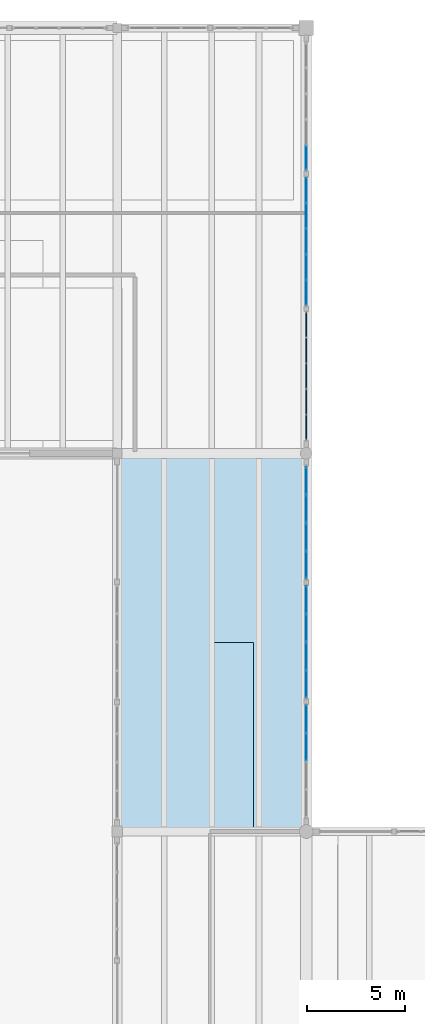
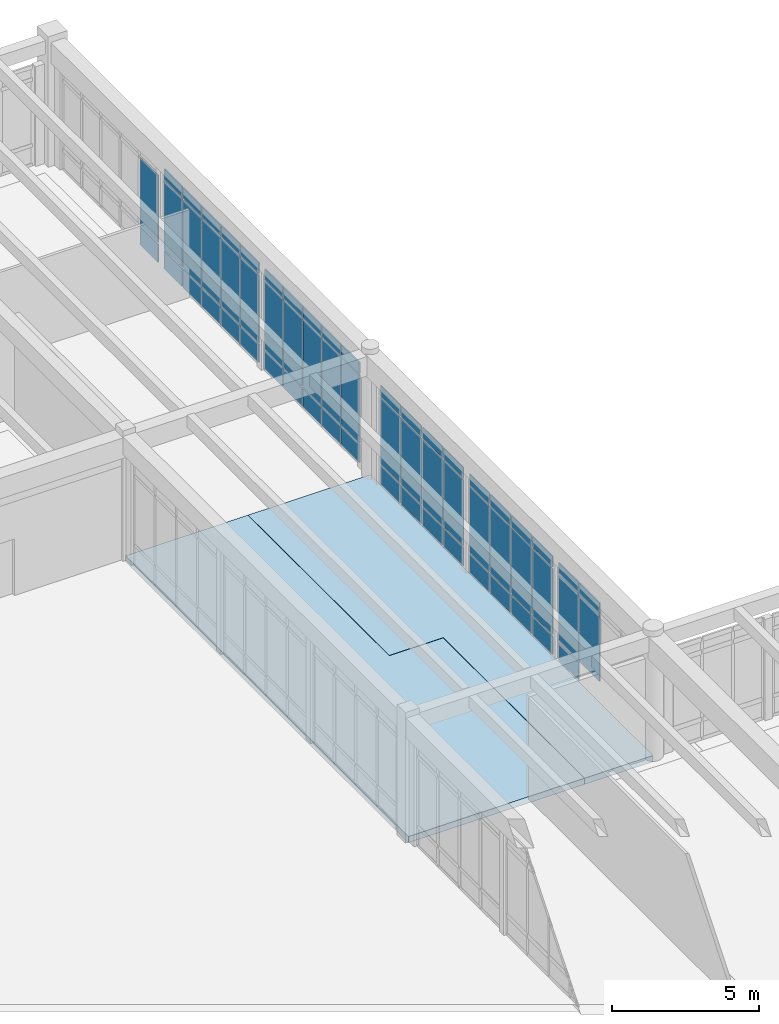
# One storey, part 101 of 138: 61 plates, 2 slabs, 6 elements without a shape of their own.
"""IFC4 building model written with IfcOpenShell, lengths in metres."""

from ifc_helpers import new_model, si_unit, direction, frame, origin, origin_2d, place, context, subcontext, project, spatial, polyline, rectangle, outline, extrude, material, layer, layer_set, type_object, element, aggregate, save


model = new_model("IFC4")

# Units and contexts
model_context = context("Model", 3, precision=1e-05, world=origin(), true_north=direction((0.0, 1.0)))
body_context = subcontext(model_context, "Body", "Model", "MODEL_VIEW")
ifc_project = project(units=[si_unit("LENGTHUNIT", "METRE"), si_unit("AREAUNIT", "SQUARE_METRE"), si_unit("VOLUMEUNIT", "CUBIC_METRE"), si_unit("PLANEANGLEUNIT", "RADIAN"), si_unit("MASSUNIT", "GRAM", prefix="KILO")], contexts=[model_context])

# Site, building, storey
site_placement = place(None, origin())
site = spatial("IfcSite", under=ifc_project, at=site_placement, CompositionType="ELEMENT")
building_placement = place(site_placement, origin())
building = spatial("IfcBuilding", under=site, at=building_placement, Name="Fikremerkos Civic Library", CompositionType="ELEMENT")
storey_placement = place(building_placement, origin())
storey = spatial("IfcBuildingStorey", under=building, at=storey_placement, Name="L00", CompositionType="ELEMENT", Elevation=0.0)

# Curtain wall, plates
ifc_material_1 = material(Name="Anodized aluminium Frame", Category="aluminium")
ifc_layer_1 = layer(ifc_material_1, 0.159912109375, Name="Anodized aluminium Frame")
ifc_layer_set_1 = layer_set([ifc_layer_1], Name="Anodized aluminium Frame")
curtain_wall_type_1 = type_object("IfcCurtainWallType", Name="Unitised curtain wall CW-05 3800x4100", PredefinedType="USERDEFINED", material=ifc_layer_set_1)
curtain_wall_1_placement = place(storey_placement, origin())
curtain_wall_1 = element("IfcCurtainWall", 1, at=curtain_wall_1_placement, inside=storey, type_object=curtain_wall_type_1, Name="Unitised curtain wall CW-05 L00 #59", ObjectType="UNITISED CURTAIN WALL", PredefinedType="USERDEFINED")
ifc_material_2 = material(Name="Solar control double glazing", Category="glass")
ifc_layer_2 = layer(ifc_material_2, 0.028076171875, Name="Solar control double glazing")
ifc_layer_set_2 = layer_set([ifc_layer_2], Name="Solar control double glazing")
plate_type_1 = type_object("IfcPlateType", Name="Curtain glazing panel CWP-01 28", PredefinedType="CURTAIN_PANEL", material=ifc_layer_set_2)
plate_1_placement = place(storey_placement, frame((134.39990234375, 94.616943359375, 0.06005859375), z_axis=(0.0, 0.0, 1.0), x_axis=(0.0, -1.0, 0.0)))
plate_1 = element("IfcPlate", 2, at=plate_1_placement, type_object=plate_type_1, Name="CW-05 panel 1.1", PredefinedType="CURTAIN_PANEL", context=body_context, shape_type="SweptSolid", body=[
    extrude(rectangle(XDim=1.34033203125, YDim=0.028076171875, at=origin_2d()), origin(), (0.0, 0.0, 1.0), 0.760009765625),
])
plate_2_placement = place(storey_placement, frame((134.39990234375, 94.616943359375, 0.8798828125), z_axis=(0.0, 0.0, 1.0), x_axis=(0.0, -1.0, 0.0)))
plate_2 = element("IfcPlate", 3, at=plate_2_placement, type_object=plate_type_1, Name="CW-05 panel 1.2", PredefinedType="CURTAIN_PANEL", context=body_context, shape_type="SweptSolid", body=[
    extrude(rectangle(XDim=1.34033203125, YDim=0.028076171875, at=origin_2d()), origin(), (0.0, 0.0, 1.0), 2.739990234375),
])
plate_3_placement = place(storey_placement, frame((134.39990234375, 94.616943359375, 3.679931640625), z_axis=(0.0, 0.0, 1.0), x_axis=(0.0, -1.0, 0.0)))
plate_3 = element("IfcPlate", 4, at=plate_3_placement, type_object=plate_type_1, Name="CW-05 panel 1.3", PredefinedType="CURTAIN_PANEL", context=body_context, shape_type="SweptSolid", body=[
    extrude(rectangle(XDim=1.34033203125, YDim=0.028076171875, at=origin_2d()), origin(), (0.0, 0.0, 1.0), 0.4599609375),
])
plate_4_placement = place(storey_placement, frame((134.39990234375, 93.1953125, 0.06005859375), z_axis=(0.0, 0.0, 1.0), x_axis=(0.0, -1.0, 0.0)))
plate_4 = element("IfcPlate", 5, at=plate_4_placement, type_object=plate_type_1, Name="CW-05 panel 2.1", PredefinedType="CURTAIN_PANEL", context=body_context, shape_type="SweptSolid", body=[
    extrude(rectangle(XDim=1.372802734375, YDim=0.028076171875, at=origin_2d()), origin(), (0.0, 0.0, 1.0), 0.760009765625),
])
plate_5_placement = place(storey_placement, frame((134.39990234375, 93.1953125, 0.8798828125), z_axis=(0.0, 0.0, 1.0), x_axis=(0.0, -1.0, 0.0)))
plate_5 = element("IfcPlate", 6, at=plate_5_placement, type_object=plate_type_1, Name="CW-05 panel 2.2", PredefinedType="CURTAIN_PANEL", context=body_context, shape_type="SweptSolid", body=[
    extrude(rectangle(XDim=1.372802734375, YDim=0.028076171875, at=origin_2d()), origin(), (0.0, 0.0, 1.0), 2.739990234375),
])
plate_6_placement = place(storey_placement, frame((134.39990234375, 93.1953125, 3.679931640625), z_axis=(0.0, 0.0, 1.0), x_axis=(0.0, -1.0, 0.0)))
plate_6 = element("IfcPlate", 7, at=plate_6_placement, type_object=plate_type_1, Name="CW-05 panel 2.3", PredefinedType="CURTAIN_PANEL", context=body_context, shape_type="SweptSolid", body=[
    extrude(rectangle(XDim=1.372802734375, YDim=0.028076171875, at=origin_2d()), origin(), (0.0, 0.0, 1.0), 0.4599609375),
])
plate_7_placement = place(storey_placement, frame((134.39990234375, 91.75732421875, 0.06005859375), z_axis=(0.0, 0.0, 1.0), x_axis=(0.0, -1.0, 0.0)))
plate_7 = element("IfcPlate", 8, at=plate_7_placement, type_object=plate_type_1, Name="CW-05 panel 3.1", PredefinedType="CURTAIN_PANEL", context=body_context, shape_type="SweptSolid", body=[
    extrude(rectangle(XDim=1.372802734375, YDim=0.028076171875, at=origin_2d()), origin(), (0.0, 0.0, 1.0), 0.760009765625),
])
plate_8_placement = place(storey_placement, frame((134.39990234375, 91.75732421875, 0.8798828125), z_axis=(0.0, 0.0, 1.0), x_axis=(0.0, -1.0, 0.0)))
plate_8 = element("IfcPlate", 9, at=plate_8_placement, type_object=plate_type_1, Name="CW-05 panel 3.2", PredefinedType="CURTAIN_PANEL", context=body_context, shape_type="SweptSolid", body=[
    extrude(rectangle(XDim=1.372802734375, YDim=0.028076171875, at=origin_2d()), origin(), (0.0, 0.0, 1.0), 2.739990234375),
])
plate_9_placement = place(storey_placement, frame((134.39990234375, 91.75732421875, 3.679931640625), z_axis=(0.0, 0.0, 1.0), x_axis=(0.0, -1.0, 0.0)))
plate_9 = element("IfcPlate", 10, at=plate_9_placement, type_object=plate_type_1, Name="CW-05 panel 3.3", PredefinedType="CURTAIN_PANEL", context=body_context, shape_type="SweptSolid", body=[
    extrude(rectangle(XDim=1.372802734375, YDim=0.028076171875, at=origin_2d()), origin(), (0.0, 0.0, 1.0), 0.4599609375),
])
plate_10_placement = place(storey_placement, frame((134.39990234375, 90.3359375, 0.06005859375), z_axis=(0.0, 0.0, 1.0), x_axis=(0.0, -1.0, 0.0)))
plate_10 = element("IfcPlate", 11, at=plate_10_placement, type_object=plate_type_1, Name="CW-05 panel 4.1", PredefinedType="CURTAIN_PANEL", context=body_context, shape_type="SweptSolid", body=[
    extrude(rectangle(XDim=1.34033203125, YDim=0.028076171875, at=origin_2d()), origin(), (0.0, 0.0, 1.0), 0.760009765625),
])
plate_11_placement = place(storey_placement, frame((134.39990234375, 90.3359375, 0.8798828125), z_axis=(0.0, 0.0, 1.0), x_axis=(0.0, -1.0, 0.0)))
plate_11 = element("IfcPlate", 12, at=plate_11_placement, type_object=plate_type_1, Name="CW-05 panel 4.2", PredefinedType="CURTAIN_PANEL", context=body_context, shape_type="SweptSolid", body=[
    extrude(rectangle(XDim=1.34033203125, YDim=0.028076171875, at=origin_2d()), origin(), (0.0, 0.0, 1.0), 2.739990234375),
])
plate_12_placement = place(storey_placement, frame((134.39990234375, 90.3359375, 3.679931640625), z_axis=(0.0, 0.0, 1.0), x_axis=(0.0, -1.0, 0.0)))
plate_12 = element("IfcPlate", 13, at=plate_12_placement, type_object=plate_type_1, Name="CW-05 panel 4.3", PredefinedType="CURTAIN_PANEL", context=body_context, shape_type="SweptSolid", body=[
    extrude(rectangle(XDim=1.34033203125, YDim=0.028076171875, at=origin_2d()), origin(), (0.0, 0.0, 1.0), 0.4599609375),
])
aggregate(curtain_wall_1, [plate_1, plate_2, plate_3, plate_4, plate_5, plate_6, plate_7, plate_8, plate_9, plate_10, plate_11, plate_12])

ifc_layer_3 = layer(ifc_material_1, 0.159912109375, Name="Anodized aluminium Frame")
ifc_layer_set_3 = layer_set([ifc_layer_3], Name="Anodized aluminium Frame")
curtain_wall_type_2 = type_object("IfcCurtainWallType", Name="Unitised curtain wall CW-02 3900x3600", PredefinedType="USERDEFINED", material=ifc_layer_set_3)
curtain_wall_2_placement = place(storey_placement, origin())
curtain_wall_2 = element("IfcCurtainWall", 14, at=curtain_wall_2_placement, inside=storey, type_object=curtain_wall_type_2, Name="Unitised curtain wall CW-02 L00 #56", ObjectType="UNITISED CURTAIN WALL", PredefinedType="USERDEFINED")
ifc_layer_4 = layer(ifc_material_2, 0.035888671875, Name="Solar control double glazing")
ifc_layer_set_4 = layer_set([ifc_layer_4], Name="Solar control double glazing")
plate_type_2 = type_object("IfcPlateType", Name="Curtain glazing panel CWP-02 36", PredefinedType="CURTAIN_PANEL", material=ifc_layer_set_4)
plate_13_placement = place(storey_placement, frame((134.39990234375, 111.00341796875, 0.06982421875), z_axis=(0.0, 0.0, 1.0), x_axis=(0.0, -1.0, 0.0)))
plate_13 = element("IfcPlate", 15, at=plate_13_placement, type_object=plate_type_2, Name="CW-02 panel 5.1", PredefinedType="CURTAIN_PANEL", context=body_context, shape_type="SweptSolid", body=[
    extrude(rectangle(XDim=1.218505859375, YDim=0.035888671875, at=origin_2d()), origin(), (0.0, 0.0, 1.0), 0.7451171875),
])
plate_14_placement = place(storey_placement, frame((134.39990234375, 111.00341796875, 0.884765625), z_axis=(0.0, 0.0, 1.0), x_axis=(0.0, -1.0, 0.0)))
plate_14 = element("IfcPlate", 16, at=plate_14_placement, type_object=plate_type_2, Name="CW-02 panel 5.2", PredefinedType="CURTAIN_PANEL", context=body_context, shape_type="SweptSolid", body=[
    extrude(rectangle(XDim=1.218505859375, YDim=0.035888671875, at=origin_2d()), origin(), (0.0, 0.0, 1.0), 2.800048828125),
])
aggregate(curtain_wall_2, [plate_13, plate_14])

ifc_layer_5 = layer(ifc_material_1, 0.159912109375, Name="Anodized aluminium Frame")
ifc_layer_set_5 = layer_set([ifc_layer_5], Name="Anodized aluminium Frame")
curtain_wall_type_3 = type_object("IfcCurtainWallType", Name="Unitised curtain wall CW-06 4200x4100", PredefinedType="USERDEFINED", material=ifc_layer_set_5)
curtain_wall_3_placement = place(storey_placement, origin())
curtain_wall_3 = element("IfcCurtainWall", 17, at=curtain_wall_3_placement, inside=storey, type_object=curtain_wall_type_3, Name="Unitised curtain wall CW-06 L00 #60", ObjectType="UNITISED CURTAIN WALL", PredefinedType="USERDEFINED")
plate_15_placement = place(storey_placement, frame((134.39990234375, 88.566650390625, 0.06005859375), z_axis=(0.0, 0.0, 1.0), x_axis=(0.0, -1.0, 0.0)))
plate_15 = element("IfcPlate", 18, at=plate_15_placement, type_object=plate_type_2, Name="CW-06 panel 1.1", PredefinedType="CURTAIN_PANEL", context=body_context, shape_type="SweptSolid", body=[
    extrude(rectangle(XDim=1.347900390625, YDim=0.035888671875, at=origin_2d()), origin(), (0.0, 0.0, 1.0), 0.760009765625),
])
plate_16_placement = place(storey_placement, frame((134.39990234375, 88.566650390625, 0.8798828125), z_axis=(0.0, 0.0, 1.0), x_axis=(0.0, -1.0, 0.0)))
plate_16 = element("IfcPlate", 19, at=plate_16_placement, type_object=plate_type_2, Name="CW-06 panel 1.2", PredefinedType="CURTAIN_PANEL", context=body_context, shape_type="SweptSolid", body=[
    extrude(rectangle(XDim=1.347900390625, YDim=0.035888671875, at=origin_2d()), origin(), (0.0, 0.0, 1.0), 2.739990234375),
])
plate_17_placement = place(storey_placement, frame((134.39990234375, 88.566650390625, 3.679931640625), z_axis=(0.0, 0.0, 1.0), x_axis=(0.0, -1.0, 0.0)))
plate_17 = element("IfcPlate", 20, at=plate_17_placement, type_object=plate_type_2, Name="CW-06 panel 1.3", PredefinedType="CURTAIN_PANEL", context=body_context, shape_type="SweptSolid", body=[
    extrude(rectangle(XDim=1.347900390625, YDim=0.035888671875, at=origin_2d()), origin(), (0.0, 0.0, 1.0), 0.4599609375),
])
plate_18_placement = place(storey_placement, frame((134.39990234375, 87.143798828125, 0.06005859375), z_axis=(0.0, 0.0, 1.0), x_axis=(0.0, -1.0, 0.0)))
plate_18 = element("IfcPlate", 21, at=plate_18_placement, type_object=plate_type_2, Name="CW-06 panel 2.1", PredefinedType="CURTAIN_PANEL", context=body_context, shape_type="SweptSolid", body=[
    extrude(rectangle(XDim=1.3779296875, YDim=0.035888671875, at=origin_2d()), origin(), (0.0, 0.0, 1.0), 0.760009765625),
])
plate_19_placement = place(storey_placement, frame((134.39990234375, 87.143798828125, 0.8798828125), z_axis=(0.0, 0.0, 1.0), x_axis=(0.0, -1.0, 0.0)))
plate_19 = element("IfcPlate", 22, at=plate_19_placement, type_object=plate_type_2, Name="CW-06 panel 2.2", PredefinedType="CURTAIN_PANEL", context=body_context, shape_type="SweptSolid", body=[
    extrude(rectangle(XDim=1.3779296875, YDim=0.035888671875, at=origin_2d()), origin(), (0.0, 0.0, 1.0), 2.739990234375),
])
plate_20_placement = place(storey_placement, frame((134.39990234375, 87.143798828125, 3.679931640625), z_axis=(0.0, 0.0, 1.0), x_axis=(0.0, -1.0, 0.0)))
plate_20 = element("IfcPlate", 23, at=plate_20_placement, type_object=plate_type_2, Name="CW-06 panel 2.3", PredefinedType="CURTAIN_PANEL", context=body_context, shape_type="SweptSolid", body=[
    extrude(rectangle(XDim=1.3779296875, YDim=0.035888671875, at=origin_2d()), origin(), (0.0, 0.0, 1.0), 0.4599609375),
])
plate_21_placement = place(storey_placement, frame((134.39990234375, 85.7060546875, 0.06005859375), z_axis=(0.0, 0.0, 1.0), x_axis=(0.0, -1.0, 0.0)))
plate_21 = element("IfcPlate", 24, at=plate_21_placement, type_object=plate_type_2, Name="CW-06 panel 3.1", PredefinedType="CURTAIN_PANEL", context=body_context, shape_type="SweptSolid", body=[
    extrude(rectangle(XDim=1.3779296875, YDim=0.035888671875, at=origin_2d()), origin(), (0.0, 0.0, 1.0), 0.760009765625),
])
plate_22_placement = place(storey_placement, frame((134.39990234375, 85.7060546875, 0.8798828125), z_axis=(0.0, 0.0, 1.0), x_axis=(0.0, -1.0, 0.0)))
plate_22 = element("IfcPlate", 25, at=plate_22_placement, type_object=plate_type_2, Name="CW-06 panel 3.2", PredefinedType="CURTAIN_PANEL", context=body_context, shape_type="SweptSolid", body=[
    extrude(rectangle(XDim=1.3779296875, YDim=0.035888671875, at=origin_2d()), origin(), (0.0, 0.0, 1.0), 2.739990234375),
])
plate_23_placement = place(storey_placement, frame((134.39990234375, 85.7060546875, 3.679931640625), z_axis=(0.0, 0.0, 1.0), x_axis=(0.0, -1.0, 0.0)))
plate_23 = element("IfcPlate", 26, at=plate_23_placement, type_object=plate_type_2, Name="CW-06 panel 3.3", PredefinedType="CURTAIN_PANEL", context=body_context, shape_type="SweptSolid", body=[
    extrude(rectangle(XDim=1.3779296875, YDim=0.035888671875, at=origin_2d()), origin(), (0.0, 0.0, 1.0), 0.4599609375),
])
plate_24_placement = place(storey_placement, frame((134.39990234375, 84.283203125, 0.06005859375), z_axis=(0.0, 0.0, 1.0), x_axis=(0.0, -1.0, 0.0)))
plate_24 = element("IfcPlate", 27, at=plate_24_placement, type_object=plate_type_2, Name="CW-06 panel 4.1", PredefinedType="CURTAIN_PANEL", context=body_context, shape_type="SweptSolid", body=[
    extrude(rectangle(XDim=1.347900390625, YDim=0.035888671875, at=origin_2d()), origin(), (0.0, 0.0, 1.0), 0.760009765625),
])
plate_25_placement = place(storey_placement, frame((134.39990234375, 84.283203125, 0.8798828125), z_axis=(0.0, 0.0, 1.0), x_axis=(0.0, -1.0, 0.0)))
plate_25 = element("IfcPlate", 28, at=plate_25_placement, type_object=plate_type_2, Name="CW-06 panel 4.2", PredefinedType="CURTAIN_PANEL", context=body_context, shape_type="SweptSolid", body=[
    extrude(rectangle(XDim=1.347900390625, YDim=0.035888671875, at=origin_2d()), origin(), (0.0, 0.0, 1.0), 2.739990234375),
])
plate_26_placement = place(storey_placement, frame((134.39990234375, 84.283203125, 3.679931640625), z_axis=(0.0, 0.0, 1.0), x_axis=(0.0, -1.0, 0.0)))
plate_26 = element("IfcPlate", 29, at=plate_26_placement, type_object=plate_type_2, Name="CW-06 panel 4.3", PredefinedType="CURTAIN_PANEL", context=body_context, shape_type="SweptSolid", body=[
    extrude(rectangle(XDim=1.347900390625, YDim=0.035888671875, at=origin_2d()), origin(), (0.0, 0.0, 1.0), 0.4599609375),
])
aggregate(curtain_wall_3, [plate_15, plate_16, plate_17, plate_18, plate_19, plate_20, plate_21, plate_22, plate_23, plate_24, plate_25, plate_26])

ifc_layer_6 = layer(ifc_material_1, 0.159912109375, Name="Anodized aluminium Frame")
ifc_layer_set_6 = layer_set([ifc_layer_6], Name="Anodized aluminium Frame")
curtain_wall_type_4 = type_object("IfcCurtainWallType", Name="Unitised curtain wall CW-03 4100x3600", PredefinedType="USERDEFINED", material=ifc_layer_set_6)
curtain_wall_4_placement = place(storey_placement, origin())
curtain_wall_4 = element("IfcCurtainWall", 30, at=curtain_wall_4_placement, inside=storey, type_object=curtain_wall_type_4, Name="Unitised curtain wall CW-03 L00 #57", ObjectType="UNITISED CURTAIN WALL", PredefinedType="USERDEFINED")
ifc_material_3 = material(Name="Insulated aluminium spandrel", Category="aluminium")
ifc_layer_7 = layer(ifc_material_3, 0.044921875, Name="Insulated aluminium spandrel")
ifc_layer_set_7 = layer_set([ifc_layer_7], Name="Insulated aluminium spandrel")
plate_type_3 = type_object("IfcPlateType", Name="Curtain spandrel panel CSP-01 45", PredefinedType="CURTAIN_PANEL", material=ifc_layer_set_7)
plate_27_placement = place(storey_placement, frame((134.39990234375, 109.36474609375, 0.06494140625), z_axis=(0.0, 0.0, 1.0), x_axis=(0.0, -1.0, 0.0)))
plate_27 = element("IfcPlate", 31, at=plate_27_placement, type_object=plate_type_3, Name="CW-03 panel 1.1", PredefinedType="CURTAIN_PANEL", context=body_context, shape_type="SweptSolid", body=[
    extrude(rectangle(XDim=1.218505859375, YDim=0.044921875, at=origin_2d()), origin(), (0.0, 0.0, 1.0), 0.75244140625),
])
plate_28_placement = place(storey_placement, frame((134.39990234375, 109.36474609375, 0.88232421875), z_axis=(0.0, 0.0, 1.0), x_axis=(0.0, -1.0, 0.0)))
plate_28 = element("IfcPlate", 32, at=plate_28_placement, type_object=plate_type_3, Name="CW-03 panel 1.2", PredefinedType="CURTAIN_PANEL", context=body_context, shape_type="SweptSolid", body=[
    extrude(rectangle(XDim=1.218505859375, YDim=0.044921875, at=origin_2d()), origin(), (0.0, 0.0, 1.0), 2.804931640625),
])
plate_29_placement = place(storey_placement, frame((134.39990234375, 109.36474609375, 3.75244140625), z_axis=(0.0, 0.0, 1.0), x_axis=(0.0, -1.0, 0.0)))
plate_29 = element("IfcPlate", 33, at=plate_29_placement, type_object=plate_type_3, Name="CW-03 panel 1.3", PredefinedType="CURTAIN_PANEL", context=body_context, shape_type="SweptSolid", body=[
    extrude(rectangle(XDim=1.218505859375, YDim=0.044921875, at=origin_2d()), origin(), (0.0, 0.0, 1.0), 0.452392578125),
])
plate_30_placement = place(storey_placement, frame((134.39990234375, 108.071044921875, 0.06494140625), z_axis=(0.0, 0.0, 1.0), x_axis=(0.0, -1.0, 0.0)))
plate_30 = element("IfcPlate", 34, at=plate_30_placement, type_object=plate_type_3, Name="CW-03 panel 2.1", PredefinedType="CURTAIN_PANEL", context=body_context, shape_type="SweptSolid", body=[
    extrude(rectangle(XDim=1.24853515625, YDim=0.044921875, at=origin_2d()), origin(), (0.0, 0.0, 1.0), 0.75244140625),
])
plate_31_placement = place(storey_placement, frame((134.39990234375, 108.071044921875, 0.88232421875), z_axis=(0.0, 0.0, 1.0), x_axis=(0.0, -1.0, 0.0)))
plate_31 = element("IfcPlate", 35, at=plate_31_placement, type_object=plate_type_3, Name="CW-03 panel 2.2", PredefinedType="CURTAIN_PANEL", context=body_context, shape_type="SweptSolid", body=[
    extrude(rectangle(XDim=1.24853515625, YDim=0.044921875, at=origin_2d()), origin(), (0.0, 0.0, 1.0), 2.804931640625),
])
plate_32_placement = place(storey_placement, frame((134.39990234375, 108.071044921875, 3.75244140625), z_axis=(0.0, 0.0, 1.0), x_axis=(0.0, -1.0, 0.0)))
plate_32 = element("IfcPlate", 36, at=plate_32_placement, type_object=plate_type_3, Name="CW-03 panel 2.3", PredefinedType="CURTAIN_PANEL", context=body_context, shape_type="SweptSolid", body=[
    extrude(rectangle(XDim=1.24853515625, YDim=0.044921875, at=origin_2d()), origin(), (0.0, 0.0, 1.0), 0.452392578125),
])
plate_33_placement = place(storey_placement, frame((134.39990234375, 106.762451171875, 0.06494140625), z_axis=(0.0, 0.0, 1.0), x_axis=(0.0, -1.0, 0.0)))
plate_33 = element("IfcPlate", 37, at=plate_33_placement, type_object=plate_type_3, Name="CW-03 panel 3.1", PredefinedType="CURTAIN_PANEL", context=body_context, shape_type="SweptSolid", body=[
    extrude(rectangle(XDim=1.24853515625, YDim=0.044921875, at=origin_2d()), origin(), (0.0, 0.0, 1.0), 0.75244140625),
])
plate_34_placement = place(storey_placement, frame((134.39990234375, 106.762451171875, 0.88232421875), z_axis=(0.0, 0.0, 1.0), x_axis=(0.0, -1.0, 0.0)))
plate_34 = element("IfcPlate", 38, at=plate_34_placement, type_object=plate_type_3, Name="CW-03 panel 3.2", PredefinedType="CURTAIN_PANEL", context=body_context, shape_type="SweptSolid", body=[
    extrude(rectangle(XDim=1.24853515625, YDim=0.044921875, at=origin_2d()), origin(), (0.0, 0.0, 1.0), 2.804931640625),
])
plate_35_placement = place(storey_placement, frame((134.39990234375, 106.762451171875, 3.75244140625), z_axis=(0.0, 0.0, 1.0), x_axis=(0.0, -1.0, 0.0)))
plate_35 = element("IfcPlate", 39, at=plate_35_placement, type_object=plate_type_3, Name="CW-03 panel 3.3", PredefinedType="CURTAIN_PANEL", context=body_context, shape_type="SweptSolid", body=[
    extrude(rectangle(XDim=1.24853515625, YDim=0.044921875, at=origin_2d()), origin(), (0.0, 0.0, 1.0), 0.452392578125),
])
plate_36_placement = place(storey_placement, frame((134.39990234375, 105.453857421875, 0.06494140625), z_axis=(0.0, 0.0, 1.0), x_axis=(0.0, -1.0, 0.0)))
plate_36 = element("IfcPlate", 40, at=plate_36_placement, type_object=plate_type_3, Name="CW-03 panel 4.1", PredefinedType="CURTAIN_PANEL", context=body_context, shape_type="SweptSolid", body=[
    extrude(rectangle(XDim=1.24853515625, YDim=0.044921875, at=origin_2d()), origin(), (0.0, 0.0, 1.0), 0.75244140625),
])
plate_37_placement = place(storey_placement, frame((134.39990234375, 105.453857421875, 0.88232421875), z_axis=(0.0, 0.0, 1.0), x_axis=(0.0, -1.0, 0.0)))
plate_37 = element("IfcPlate", 41, at=plate_37_placement, type_object=plate_type_3, Name="CW-03 panel 4.2", PredefinedType="CURTAIN_PANEL", context=body_context, shape_type="SweptSolid", body=[
    extrude(rectangle(XDim=1.24853515625, YDim=0.044921875, at=origin_2d()), origin(), (0.0, 0.0, 1.0), 2.804931640625),
])
plate_38_placement = place(storey_placement, frame((134.39990234375, 105.453857421875, 3.75244140625), z_axis=(0.0, 0.0, 1.0), x_axis=(0.0, -1.0, 0.0)))
plate_38 = element("IfcPlate", 42, at=plate_38_placement, type_object=plate_type_3, Name="CW-03 panel 4.3", PredefinedType="CURTAIN_PANEL", context=body_context, shape_type="SweptSolid", body=[
    extrude(rectangle(XDim=1.24853515625, YDim=0.044921875, at=origin_2d()), origin(), (0.0, 0.0, 1.0), 0.452392578125),
])
plate_39_placement = place(storey_placement, frame((134.39990234375, 104.160400390625, 0.06494140625), z_axis=(0.0, 0.0, 1.0), x_axis=(0.0, -1.0, 0.0)))
plate_39 = element("IfcPlate", 43, at=plate_39_placement, type_object=plate_type_3, Name="CW-03 panel 5.1", PredefinedType="CURTAIN_PANEL", context=body_context, shape_type="SweptSolid", body=[
    extrude(rectangle(XDim=1.218505859375, YDim=0.044921875, at=origin_2d()), origin(), (0.0, 0.0, 1.0), 0.75244140625),
])
plate_40_placement = place(storey_placement, frame((134.39990234375, 104.160400390625, 0.88232421875), z_axis=(0.0, 0.0, 1.0), x_axis=(0.0, -1.0, 0.0)))
plate_40 = element("IfcPlate", 44, at=plate_40_placement, type_object=plate_type_3, Name="CW-03 panel 5.2", PredefinedType="CURTAIN_PANEL", context=body_context, shape_type="SweptSolid", body=[
    extrude(rectangle(XDim=1.218505859375, YDim=0.044921875, at=origin_2d()), origin(), (0.0, 0.0, 1.0), 2.804931640625),
])
plate_41_placement = place(storey_placement, frame((134.39990234375, 104.160400390625, 3.75244140625), z_axis=(0.0, 0.0, 1.0), x_axis=(0.0, -1.0, 0.0)))
plate_41 = element("IfcPlate", 45, at=plate_41_placement, type_object=plate_type_3, Name="CW-03 panel 5.3", PredefinedType="CURTAIN_PANEL", context=body_context, shape_type="SweptSolid", body=[
    extrude(rectangle(XDim=1.218505859375, YDim=0.044921875, at=origin_2d()), origin(), (0.0, 0.0, 1.0), 0.452392578125),
])
aggregate(curtain_wall_4, [plate_27, plate_28, plate_29, plate_30, plate_31, plate_32, plate_33, plate_34, plate_35, plate_36, plate_37, plate_38, plate_39, plate_40, plate_41])

ifc_layer_8 = layer(ifc_material_1, 0.159912109375, Name="Anodized aluminium Frame")
ifc_layer_set_8 = layer_set([ifc_layer_8], Name="Anodized aluminium Frame")
curtain_wall_type_5 = type_object("IfcCurtainWallType", Name="Unitised curtain wall CW-07 3500x4100", PredefinedType="USERDEFINED", material=ifc_layer_set_8)
curtain_wall_5_placement = place(storey_placement, origin())
curtain_wall_5 = element("IfcCurtainWall", 46, at=curtain_wall_5_placement, inside=storey, type_object=curtain_wall_type_5, Name="Unitised curtain wall CW-07 L00 #61", ObjectType="UNITISED CURTAIN WALL", PredefinedType="USERDEFINED")
plate_42_placement = place(storey_placement, frame((134.39990234375, 82.515380859375, 0.06982421875), z_axis=(0.0, 0.0, 1.0), x_axis=(0.0, -1.0, 0.0)))
plate_42 = element("IfcPlate", 47, at=plate_42_placement, type_object=plate_type_3, Name="CW-07 panel 1.1", PredefinedType="CURTAIN_PANEL", context=body_context, shape_type="SweptSolid", body=[
    extrude(rectangle(XDim=1.347900390625, YDim=0.044921875, at=origin_2d()), origin(), (0.0, 0.0, 1.0), 0.7451171875),
])
plate_43_placement = place(storey_placement, frame((134.39990234375, 82.515380859375, 0.885009765625), z_axis=(0.0, 0.0, 1.0), x_axis=(0.0, -1.0, 0.0)))
plate_43 = element("IfcPlate", 48, at=plate_43_placement, type_object=plate_type_3, Name="CW-07 panel 1.2", PredefinedType="CURTAIN_PANEL", context=body_context, shape_type="SweptSolid", body=[
    extrude(rectangle(XDim=1.347900390625, YDim=0.044921875, at=origin_2d()), origin(), (0.0, 0.0, 1.0), 2.72998046875),
])
plate_44_placement = place(storey_placement, frame((134.39990234375, 82.515380859375, 3.68505859375), z_axis=(0.0, 0.0, 1.0), x_axis=(0.0, -1.0, 0.0)))
plate_44 = element("IfcPlate", 49, at=plate_44_placement, type_object=plate_type_3, Name="CW-07 panel 1.3", PredefinedType="CURTAIN_PANEL", context=body_context, shape_type="SweptSolid", body=[
    extrude(rectangle(XDim=1.347900390625, YDim=0.044921875, at=origin_2d()), origin(), (0.0, 0.0, 1.0), 0.445068359375),
])
plate_45_placement = place(storey_placement, frame((134.39990234375, 81.092529296875, 0.885009765625), z_axis=(0.0, 0.0, 1.0), x_axis=(0.0, -1.0, 0.0)))
plate_45 = element("IfcPlate", 50, at=plate_45_placement, type_object=plate_type_3, Name="CW-07 panel 2.2", PredefinedType="CURTAIN_PANEL", context=body_context, shape_type="SweptSolid", body=[
    extrude(rectangle(XDim=1.3779296875, YDim=0.044921875, at=origin_2d()), origin(), (0.0, 0.0, 1.0), 2.72998046875),
])
plate_46_placement = place(storey_placement, frame((134.39990234375, 81.092529296875, 3.68505859375), z_axis=(0.0, 0.0, 1.0), x_axis=(0.0, -1.0, 0.0)))
plate_46 = element("IfcPlate", 51, at=plate_46_placement, type_object=plate_type_3, Name="CW-07 panel 2.3", PredefinedType="CURTAIN_PANEL", context=body_context, shape_type="SweptSolid", body=[
    extrude(rectangle(XDim=1.3779296875, YDim=0.044921875, at=origin_2d()), origin(), (0.0, 0.0, 1.0), 0.445068359375),
])
aggregate(curtain_wall_5, [plate_42, plate_43, plate_44, plate_45, plate_46])

ifc_layer_9 = layer(ifc_material_1, 0.159912109375, Name="Anodized aluminium Frame")
ifc_layer_set_9 = layer_set([ifc_layer_9], Name="Anodized aluminium Frame")
curtain_wall_type_6 = type_object("IfcCurtainWallType", Name="Unitised curtain wall CW-04 3400x3600", PredefinedType="USERDEFINED", material=ifc_layer_set_9)
curtain_wall_6_placement = place(storey_placement, origin())
curtain_wall_6 = element("IfcCurtainWall", 52, at=curtain_wall_6_placement, inside=storey, type_object=curtain_wall_type_6, Name="Unitised curtain wall CW-04 L00 #58", ObjectType="UNITISED CURTAIN WALL", PredefinedType="USERDEFINED")
ifc_layer_10 = layer(ifc_material_3, 0.054931640625, Name="Insulated aluminium spandrel")
ifc_layer_set_10 = layer_set([ifc_layer_10], Name="Insulated aluminium spandrel")
plate_type_4 = type_object("IfcPlateType", Name="Curtain spandrel panel CSP-02 55", PredefinedType="CURTAIN_PANEL", material=ifc_layer_set_10)
plate_47_placement = place(storey_placement, frame((134.39990234375, 102.521728515625, 0.06494140625), z_axis=(0.0, 0.0, 1.0), x_axis=(0.0, -1.0, 0.0)))
plate_47 = element("IfcPlate", 53, at=plate_47_placement, type_object=plate_type_4, Name="CW-04 panel 1.1", PredefinedType="CURTAIN_PANEL", context=body_context, shape_type="SweptSolid", body=[
    extrude(rectangle(XDim=1.218505859375, YDim=0.054931640625, at=origin_2d()), origin(), (0.0, 0.0, 1.0), 0.75244140625),
])
plate_48_placement = place(storey_placement, frame((134.39990234375, 102.521728515625, 0.88232421875), z_axis=(0.0, 0.0, 1.0), x_axis=(0.0, -1.0, 0.0)))
plate_48 = element("IfcPlate", 54, at=plate_48_placement, type_object=plate_type_4, Name="CW-04 panel 1.2", PredefinedType="CURTAIN_PANEL", context=body_context, shape_type="SweptSolid", body=[
    extrude(rectangle(XDim=1.218505859375, YDim=0.054931640625, at=origin_2d()), origin(), (0.0, 0.0, 1.0), 2.804931640625),
])
plate_49_placement = place(storey_placement, frame((134.39990234375, 102.521728515625, 3.75244140625), z_axis=(0.0, 0.0, 1.0), x_axis=(0.0, -1.0, 0.0)))
plate_49 = element("IfcPlate", 55, at=plate_49_placement, type_object=plate_type_4, Name="CW-04 panel 1.3", PredefinedType="CURTAIN_PANEL", context=body_context, shape_type="SweptSolid", body=[
    extrude(rectangle(XDim=1.218505859375, YDim=0.054931640625, at=origin_2d()), origin(), (0.0, 0.0, 1.0), 0.452392578125),
])
plate_50_placement = place(storey_placement, frame((134.39990234375, 101.22802734375, 0.06494140625), z_axis=(0.0, 0.0, 1.0), x_axis=(0.0, -1.0, 0.0)))
plate_50 = element("IfcPlate", 56, at=plate_50_placement, type_object=plate_type_4, Name="CW-04 panel 2.1", PredefinedType="CURTAIN_PANEL", context=body_context, shape_type="SweptSolid", body=[
    extrude(rectangle(XDim=1.24853515625, YDim=0.054931640625, at=origin_2d()), origin(), (0.0, 0.0, 1.0), 0.75244140625),
])
plate_51_placement = place(storey_placement, frame((134.39990234375, 101.22802734375, 0.88232421875), z_axis=(0.0, 0.0, 1.0), x_axis=(0.0, -1.0, 0.0)))
plate_51 = element("IfcPlate", 57, at=plate_51_placement, type_object=plate_type_4, Name="CW-04 panel 2.2", PredefinedType="CURTAIN_PANEL", context=body_context, shape_type="SweptSolid", body=[
    extrude(rectangle(XDim=1.24853515625, YDim=0.054931640625, at=origin_2d()), origin(), (0.0, 0.0, 1.0), 2.804931640625),
])
plate_52_placement = place(storey_placement, frame((134.39990234375, 101.22802734375, 3.75244140625), z_axis=(0.0, 0.0, 1.0), x_axis=(0.0, -1.0, 0.0)))
plate_52 = element("IfcPlate", 58, at=plate_52_placement, type_object=plate_type_4, Name="CW-04 panel 2.3", PredefinedType="CURTAIN_PANEL", context=body_context, shape_type="SweptSolid", body=[
    extrude(rectangle(XDim=1.24853515625, YDim=0.054931640625, at=origin_2d()), origin(), (0.0, 0.0, 1.0), 0.452392578125),
])
plate_53_placement = place(storey_placement, frame((134.39990234375, 99.91943359375, 0.06494140625), z_axis=(0.0, 0.0, 1.0), x_axis=(0.0, -1.0, 0.0)))
plate_53 = element("IfcPlate", 59, at=plate_53_placement, type_object=plate_type_4, Name="CW-04 panel 3.1", PredefinedType="CURTAIN_PANEL", context=body_context, shape_type="SweptSolid", body=[
    extrude(rectangle(XDim=1.24853515625, YDim=0.054931640625, at=origin_2d()), origin(), (0.0, 0.0, 1.0), 0.75244140625),
])
plate_54_placement = place(storey_placement, frame((134.39990234375, 99.91943359375, 0.88232421875), z_axis=(0.0, 0.0, 1.0), x_axis=(0.0, -1.0, 0.0)))
plate_54 = element("IfcPlate", 60, at=plate_54_placement, type_object=plate_type_4, Name="CW-04 panel 3.2", PredefinedType="CURTAIN_PANEL", context=body_context, shape_type="SweptSolid", body=[
    extrude(rectangle(XDim=1.24853515625, YDim=0.054931640625, at=origin_2d()), origin(), (0.0, 0.0, 1.0), 2.804931640625),
])
plate_55_placement = place(storey_placement, frame((134.39990234375, 99.91943359375, 3.75244140625), z_axis=(0.0, 0.0, 1.0), x_axis=(0.0, -1.0, 0.0)))
plate_55 = element("IfcPlate", 61, at=plate_55_placement, type_object=plate_type_4, Name="CW-04 panel 3.3", PredefinedType="CURTAIN_PANEL", context=body_context, shape_type="SweptSolid", body=[
    extrude(rectangle(XDim=1.24853515625, YDim=0.054931640625, at=origin_2d()), origin(), (0.0, 0.0, 1.0), 0.452392578125),
])
plate_56_placement = place(storey_placement, frame((134.39990234375, 98.61083984375, 0.06494140625), z_axis=(0.0, 0.0, 1.0), x_axis=(0.0, -1.0, 0.0)))
plate_56 = element("IfcPlate", 62, at=plate_56_placement, type_object=plate_type_4, Name="CW-04 panel 4.1", PredefinedType="CURTAIN_PANEL", context=body_context, shape_type="SweptSolid", body=[
    extrude(rectangle(XDim=1.24853515625, YDim=0.054931640625, at=origin_2d()), origin(), (0.0, 0.0, 1.0), 0.75244140625),
])
plate_57_placement = place(storey_placement, frame((134.39990234375, 98.61083984375, 0.88232421875), z_axis=(0.0, 0.0, 1.0), x_axis=(0.0, -1.0, 0.0)))
plate_57 = element("IfcPlate", 63, at=plate_57_placement, type_object=plate_type_4, Name="CW-04 panel 4.2", PredefinedType="CURTAIN_PANEL", context=body_context, shape_type="SweptSolid", body=[
    extrude(rectangle(XDim=1.24853515625, YDim=0.054931640625, at=origin_2d()), origin(), (0.0, 0.0, 1.0), 2.804931640625),
])
plate_58_placement = place(storey_placement, frame((134.39990234375, 98.61083984375, 3.75244140625), z_axis=(0.0, 0.0, 1.0), x_axis=(0.0, -1.0, 0.0)))
plate_58 = element("IfcPlate", 64, at=plate_58_placement, type_object=plate_type_4, Name="CW-04 panel 4.3", PredefinedType="CURTAIN_PANEL", context=body_context, shape_type="SweptSolid", body=[
    extrude(rectangle(XDim=1.24853515625, YDim=0.054931640625, at=origin_2d()), origin(), (0.0, 0.0, 1.0), 0.452392578125),
])
plate_59_placement = place(storey_placement, frame((134.39990234375, 97.3173828125, 0.06494140625), z_axis=(0.0, 0.0, 1.0), x_axis=(0.0, -1.0, 0.0)))
plate_59 = element("IfcPlate", 65, at=plate_59_placement, type_object=plate_type_4, Name="CW-04 panel 5.1", PredefinedType="CURTAIN_PANEL", context=body_context, shape_type="SweptSolid", body=[
    extrude(rectangle(XDim=1.218505859375, YDim=0.054931640625, at=origin_2d()), origin(), (0.0, 0.0, 1.0), 0.75244140625),
])
plate_60_placement = place(storey_placement, frame((134.39990234375, 97.3173828125, 0.88232421875), z_axis=(0.0, 0.0, 1.0), x_axis=(0.0, -1.0, 0.0)))
plate_60 = element("IfcPlate", 66, at=plate_60_placement, type_object=plate_type_4, Name="CW-04 panel 5.2", PredefinedType="CURTAIN_PANEL", context=body_context, shape_type="SweptSolid", body=[
    extrude(rectangle(XDim=1.218505859375, YDim=0.054931640625, at=origin_2d()), origin(), (0.0, 0.0, 1.0), 2.804931640625),
])
plate_61_placement = place(storey_placement, frame((134.39990234375, 97.3173828125, 3.75244140625), z_axis=(0.0, 0.0, 1.0), x_axis=(0.0, -1.0, 0.0)))
plate_61 = element("IfcPlate", 67, at=plate_61_placement, type_object=plate_type_4, Name="CW-04 panel 5.3", PredefinedType="CURTAIN_PANEL", context=body_context, shape_type="SweptSolid", body=[
    extrude(rectangle(XDim=1.218505859375, YDim=0.054931640625, at=origin_2d()), origin(), (0.0, 0.0, 1.0), 0.452392578125),
])
aggregate(curtain_wall_6, [plate_47, plate_48, plate_49, plate_50, plate_51, plate_52, plate_53, plate_54, plate_55, plate_56, plate_57, plate_58, plate_59, plate_60, plate_61])

# Slabs
ifc_material_4 = material(Name="Concrete C40/50", Category="concrete")
ifc_layer_11 = layer(ifc_material_4, 0.260009765625, Name="Concrete C40/50")
ifc_layer_set_11 = layer_set([ifc_layer_11], Name="Concrete C40/50")
slab_type = type_object("IfcSlabType", Name="Suspended floor slab SFS-05 260", PredefinedType="FLOOR", material=ifc_layer_set_11)
slab_1_placement = place(storey_placement, frame((0.0, 0.0, -0.260009765625)))
element("IfcSlab", 68, at=slab_1_placement, inside=storey, type_object=slab_type, Name="Floor slab SFS-05 SLB-L00-V2-L-1L1", PredefinedType="FLOOR", context=body_context, shape_type="SweptSolid", body=[
    extrude(outline(polyline([(124.800048828125, 76.800048828125), (131.7080078125, 76.800048828125), (131.7080078125, 86.39599609375), (129.595947265625, 86.39599609375), (129.595947265625, 96.0), (124.800048828125, 96.0), (124.800048828125, 76.800048828125)])), origin(), (0.0, 0.0, 1.0), 0.260009765625),
])
slab_2_placement = place(storey_placement, frame((0.0, 0.0, -0.260009765625)))
element("IfcSlab", 69, at=slab_2_placement, inside=storey, type_object=slab_type, Name="Floor slab SFS-05 SLB-L00-V2-L-1L2", PredefinedType="FLOOR", context=body_context, shape_type="SweptSolid", body=[
    extrude(outline(polyline([(131.716064453125, 76.800048828125), (134.39990234375, 76.800048828125), (134.39990234375, 96.0), (129.60400390625, 96.0), (129.60400390625, 86.404052734375), (131.716064453125, 86.404052734375), (131.716064453125, 76.800048828125)])), origin(), (0.0, 0.0, 1.0), 0.260009765625),
])

save(model, "model.ifc")
